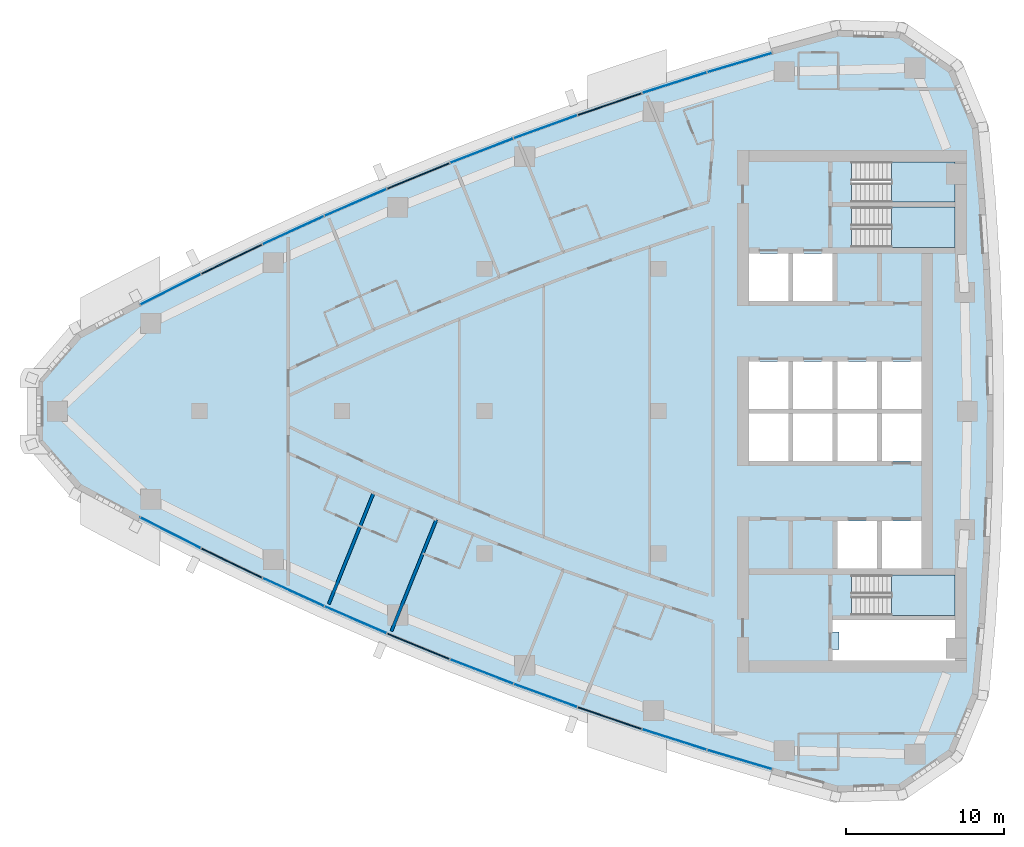
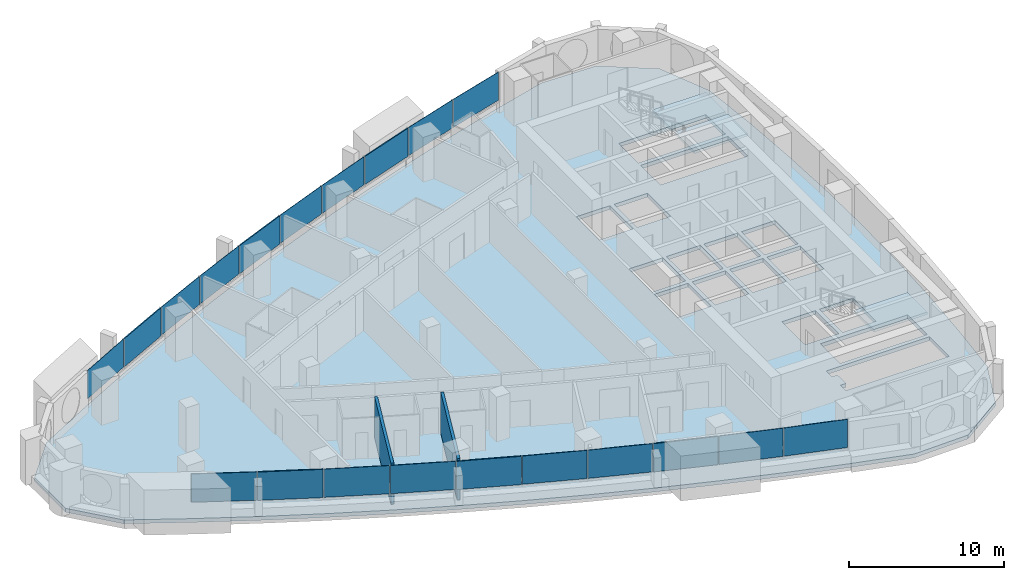
# One storey, part 8 of 17: 20 plates, 4 slabs, 2 walls, 1 opening, 13 elements without a shape of their own.
"""IFC4 building model written with IfcOpenShell, lengths in metres."""

from ifc_helpers import new_model, si_unit, direction, frame, frame_2d, origin, origin_2d, place, context, subcontext, project, spatial, polyline, rectangle, outline, extrude, material, layer, layer_set, type_object, element, aggregate, save


model = new_model("IFC4")

# Units and contexts
model_context = context("Model", 3, precision=1e-05, world=origin(), true_north=direction((0.0, 1.0)))
body_context = subcontext(model_context, "Body", "Model", "MODEL_VIEW")
ifc_project = project(units=[si_unit("LENGTHUNIT", "METRE"), si_unit("AREAUNIT", "SQUARE_METRE"), si_unit("VOLUMEUNIT", "CUBIC_METRE"), si_unit("PLANEANGLEUNIT", "RADIAN"), si_unit("MASSUNIT", "GRAM", prefix="KILO")], contexts=[model_context])

# Site, building, storey
site_placement = place(None, origin())
site = spatial("IfcSite", under=ifc_project, at=site_placement, CompositionType="ELEMENT")
building_placement = place(site_placement, origin())
building = spatial("IfcBuilding", under=site, at=building_placement, Name="Ostrand Prow Hotel Tower", CompositionType="ELEMENT")
storey_placement = place(building_placement, frame((0.0, 0.0, 200.35009765625)))
storey = spatial("IfcBuildingStorey", under=building, at=storey_placement, Name="L50", CompositionType="ELEMENT", Elevation=200.35009765625)

# Curtain wall, plate
ifc_material_1 = material(Name="Insulated glass in bronze anodised frame", Category="glass")
ifc_layer_1 = layer(ifc_material_1, 0.199951171875)
ifc_layer_set_1 = layer_set([ifc_layer_1], Name="Insulated glass in bronze anodised frame")
curtain_wall_type = type_object("IfcCurtainWallType", Name="Strip curtain wall, fritted glass over bronze spandrel", PredefinedType="NOTDEFINED", material=ifc_layer_set_1)
curtain_wall_1_placement = place(storey_placement, origin())
curtain_wall_1 = element("IfcCurtainWall", 1, at=curtain_wall_1_placement, inside=storey, type_object=curtain_wall_type, Name="CW1 run CWS1", PredefinedType="NOTDEFINED")
ifc_material_2 = material(Name="Ceramic-fritted glass", Category="glass")
ifc_layer_2 = layer(ifc_material_2, 0.031982421875)
ifc_layer_set_2 = layer_set([ifc_layer_2], Name="Ceramic-fritted glass")
plate_type_1 = type_object("IfcPlateType", Name="Dot-fritted ceramic glass unit 32 mm", PredefinedType="CURTAIN_PANEL", material=ifc_layer_set_2)
plate_1_placement = place(storey_placement, frame((14.17529296875, -7.6865234375, 1.02001953125), z_axis=(0.0, 0.0, 1.0), x_axis=(0.891683792196, -0.452658828186, 0.0)))
plate_1 = element("IfcPlate", 2, at=plate_1_placement, type_object=plate_type_1, Name="CW1 PN-D panel 1.2", PredefinedType="CURTAIN_PANEL", context=body_context, shape_type="SweptSolid", body=[
    extrude(rectangle(XDim=4.2451171875, YDim=0.031982421875, at=origin_2d()), origin(), (0.0, 0.0, 1.0), 2.22998046875),
])

# Curtain wall, plates
curtain_wall_2_placement = place(storey_placement, origin())
curtain_wall_2 = element("IfcCurtainWall", 3, at=curtain_wall_2_placement, inside=storey, type_object=curtain_wall_type, Name="CW1 run CWS2", PredefinedType="NOTDEFINED")
plate_2_placement = place(storey_placement, frame((21.928955078125, -11.428466796875, 1.02001953125), z_axis=(0.0, 0.0, 1.0), x_axis=(0.909184517226, -0.416393460127, 0.0)))
plate_2 = element("IfcPlate", 4, at=plate_2_placement, type_object=plate_type_1, Name="CW1 PN-D panel 1.2", PredefinedType="CURTAIN_PANEL", context=body_context, shape_type="SweptSolid", body=[
    extrude(rectangle(XDim=4.2451171875, YDim=0.031982421875, at=origin_2d()), origin(), (0.0, 0.0, 1.0), 2.22998046875),
])
plate_3_placement = place(storey_placement, frame((25.860595703125, -13.181396484375, 1.02001953125), z_axis=(0.0, 0.0, 1.0), x_axis=(0.917383388347, -0.398004671812, 0.0)))
plate_3 = element("IfcPlate", 5, at=plate_3_placement, type_object=plate_type_1, Name="CW1 PN-D panel 2.2", PredefinedType="CURTAIN_PANEL", context=body_context, shape_type="SweptSolid", body=[
    extrude(rectangle(XDim=4.2451171875, YDim=0.031982421875, at=origin_2d()), origin(), (0.0, 0.0, 1.0), 2.22998046875),
])
aggregate(curtain_wall_2, [plate_2, plate_3])

# Curtain wall, plate
curtain_wall_3_placement = place(storey_placement, origin())
curtain_wall_3 = element("IfcCurtainWall", 6, at=curtain_wall_3_placement, inside=storey, type_object=curtain_wall_type, Name="CW1 run CWS3", PredefinedType="NOTDEFINED")
plate_4_placement = place(storey_placement, frame((33.826171875, -16.4482421875, 1.02001953125), z_axis=(0.0, 0.0, 1.0), x_axis=(0.932662950972, -0.360748970732, 0.0)))
plate_4 = element("IfcPlate", 7, at=plate_4_placement, type_object=plate_type_1, Name="CW1 PN-D panel 2.2", PredefinedType="CURTAIN_PANEL", context=body_context, shape_type="SweptSolid", body=[
    extrude(rectangle(XDim=4.2451171875, YDim=0.031982421875, at=origin_2d()), origin(), (0.0, 0.0, 1.0), 2.22998046875),
])

curtain_wall_4_placement = place(storey_placement, origin())
curtain_wall_4 = element("IfcCurtainWall", 8, at=curtain_wall_4_placement, inside=storey, type_object=curtain_wall_type, Name="CW1 run CWS4", PredefinedType="NOTDEFINED")
plate_5_placement = place(storey_placement, frame((37.8564453125, -17.960693359375, 1.02001953125), z_axis=(0.0, 0.0, 1.0), x_axis=(0.939737383067, -0.341897134919, 0.0)))
plate_5 = element("IfcPlate", 9, at=plate_5_placement, type_object=plate_type_1, Name="CW1 PN-D panel 1.2", PredefinedType="CURTAIN_PANEL", context=body_context, shape_type="SweptSolid", body=[
    extrude(rectangle(XDim=4.2451171875, YDim=0.031982421875, at=origin_2d()), origin(), (0.0, 0.0, 1.0), 2.22998046875),
])

# Curtain wall, plates
curtain_wall_5_placement = place(storey_placement, origin())
curtain_wall_5 = element("IfcCurtainWall", 10, at=curtain_wall_5_placement, inside=storey, type_object=curtain_wall_type, Name="CW1 run CWS5", PredefinedType="NOTDEFINED")
plate_6_placement = place(storey_placement, frame((46.00439453125, -20.74072265625, 1.02001953125), z_axis=(0.0, 0.0, 1.0), x_axis=(0.952739983864, -0.303786970008, 0.0)))
plate_6 = element("IfcPlate", 11, at=plate_6_placement, type_object=plate_type_1, Name="CW1 PN-D panel 1.2", PredefinedType="CURTAIN_PANEL", context=body_context, shape_type="SweptSolid", body=[
    extrude(rectangle(XDim=4.2451171875, YDim=0.031982421875, at=origin_2d()), origin(), (0.0, 0.0, 1.0), 2.22998046875),
])
plate_7_placement = place(storey_placement, frame((50.118896484375, -22.007080078125, 1.02001953125), z_axis=(0.0, 0.0, 1.0), x_axis=(0.958662947758, -0.284544113619, 0.0)))
plate_7 = element("IfcPlate", 12, at=plate_7_placement, type_object=plate_type_1, Name="CW1 PN-D panel 2.2", PredefinedType="CURTAIN_PANEL", context=body_context, shape_type="SweptSolid", body=[
    extrude(rectangle(XDim=4.2451171875, YDim=0.031982421875, at=origin_2d()), origin(), (0.0, 0.0, 1.0), 2.22998046875),
])
aggregate(curtain_wall_5, [plate_6, plate_7])

curtain_wall_6_placement = place(storey_placement, origin())
curtain_wall_6 = element("IfcCurtainWall", 13, at=curtain_wall_6_placement, inside=storey, type_object=curtain_wall_type, Name="CW1 run CWN1", PredefinedType="NOTDEFINED")
plate_8_placement = place(storey_placement, frame((50.118896484375, 22.007080078125, 1.02001953125), z_axis=(0.0, 0.0, 1.0), x_axis=(-0.958662947758, -0.284544113619, 0.0)))
plate_8 = element("IfcPlate", 14, at=plate_8_placement, type_object=plate_type_1, Name="CW1 PN-D panel 1.2", PredefinedType="CURTAIN_PANEL", context=body_context, shape_type="SweptSolid", body=[
    extrude(rectangle(XDim=4.2451171875, YDim=0.031982421875, at=origin_2d()), origin(), (0.0, 0.0, 1.0), 2.22998046875),
])
plate_9_placement = place(storey_placement, frame((46.00439453125, 20.74072265625, 1.02001953125), z_axis=(0.0, 0.0, 1.0), x_axis=(-0.952739983864, -0.303786970008, 0.0)))
plate_9 = element("IfcPlate", 15, at=plate_9_placement, type_object=plate_type_1, Name="CW1 PN-D panel 2.2", PredefinedType="CURTAIN_PANEL", context=body_context, shape_type="SweptSolid", body=[
    extrude(rectangle(XDim=4.2451171875, YDim=0.031982421875, at=origin_2d()), origin(), (0.0, 0.0, 1.0), 2.22998046875),
])
aggregate(curtain_wall_6, [plate_8, plate_9])

# Curtain wall, plate
curtain_wall_7_placement = place(storey_placement, origin())
curtain_wall_7 = element("IfcCurtainWall", 16, at=curtain_wall_7_placement, inside=storey, type_object=curtain_wall_type, Name="CW1 run CWN2", PredefinedType="NOTDEFINED")
plate_10_placement = place(storey_placement, frame((37.8564453125, 17.960693359375, 1.02001953125), z_axis=(0.0, 0.0, 1.0), x_axis=(-0.939737383067, -0.341897134919, 0.0)))
plate_10 = element("IfcPlate", 17, at=plate_10_placement, type_object=plate_type_1, Name="CW1 PN-D panel 2.2", PredefinedType="CURTAIN_PANEL", context=body_context, shape_type="SweptSolid", body=[
    extrude(rectangle(XDim=4.2451171875, YDim=0.031982421875, at=origin_2d()), origin(), (0.0, 0.0, 1.0), 2.22998046875),
])

curtain_wall_8_placement = place(storey_placement, origin())
curtain_wall_8 = element("IfcCurtainWall", 18, at=curtain_wall_8_placement, inside=storey, type_object=curtain_wall_type, Name="CW1 run CWN3", PredefinedType="NOTDEFINED")
plate_11_placement = place(storey_placement, frame((33.826171875, 16.4482421875, 1.02001953125), z_axis=(0.0, 0.0, 1.0), x_axis=(-0.932662950972, -0.360748970732, 0.0)))
plate_11 = element("IfcPlate", 19, at=plate_11_placement, type_object=plate_type_1, Name="CW1 PN-D panel 1.2", PredefinedType="CURTAIN_PANEL", context=body_context, shape_type="SweptSolid", body=[
    extrude(rectangle(XDim=4.2451171875, YDim=0.031982421875, at=origin_2d()), origin(), (0.0, 0.0, 1.0), 2.22998046875),
])

# Curtain wall, plates
curtain_wall_9_placement = place(storey_placement, origin())
curtain_wall_9 = element("IfcCurtainWall", 20, at=curtain_wall_9_placement, inside=storey, type_object=curtain_wall_type, Name="CW1 run CWN4", PredefinedType="NOTDEFINED")
plate_12_placement = place(storey_placement, frame((25.860595703125, 13.181396484375, 1.02001953125), z_axis=(0.0, 0.0, 1.0), x_axis=(-0.917383388347, -0.398004671812, 0.0)))
plate_12 = element("IfcPlate", 21, at=plate_12_placement, type_object=plate_type_1, Name="CW1 PN-D panel 1.2", PredefinedType="CURTAIN_PANEL", context=body_context, shape_type="SweptSolid", body=[
    extrude(rectangle(XDim=4.2451171875, YDim=0.031982421875, at=origin_2d()), origin(), (0.0, 0.0, 1.0), 2.22998046875),
])
plate_13_placement = place(storey_placement, frame((21.928955078125, 11.428466796875, 1.02001953125), z_axis=(0.0, 0.0, 1.0), x_axis=(-0.909184517226, -0.416393460127, 0.0)))
plate_13 = element("IfcPlate", 22, at=plate_13_placement, type_object=plate_type_1, Name="CW1 PN-D panel 2.2", PredefinedType="CURTAIN_PANEL", context=body_context, shape_type="SweptSolid", body=[
    extrude(rectangle(XDim=4.2451171875, YDim=0.031982421875, at=origin_2d()), origin(), (0.0, 0.0, 1.0), 2.22998046875),
])
aggregate(curtain_wall_9, [plate_12, plate_13])

# Curtain wall, plate
curtain_wall_10_placement = place(storey_placement, origin())
curtain_wall_10 = element("IfcCurtainWall", 23, at=curtain_wall_10_placement, inside=storey, type_object=curtain_wall_type, Name="CW1 run CWN5", PredefinedType="NOTDEFINED")
plate_14_placement = place(storey_placement, frame((14.17529296875, 7.6865234375, 1.02001953125), z_axis=(0.0, 0.0, 1.0), x_axis=(-0.891683792196, -0.452658828186, 0.0)))
plate_14 = element("IfcPlate", 24, at=plate_14_placement, type_object=plate_type_1, Name="CW1 PN-D panel 2.2", PredefinedType="CURTAIN_PANEL", context=body_context, shape_type="SweptSolid", body=[
    extrude(rectangle(XDim=4.2451171875, YDim=0.031982421875, at=origin_2d()), origin(), (0.0, 0.0, 1.0), 2.22998046875),
])

# Plate
ifc_material_3 = material(Name="Fritted glass in bronze vent frame", Category="glass")
ifc_layer_3 = layer(ifc_material_3, 0.080078125)
ifc_layer_set_3 = layer_set([ifc_layer_3], Name="Fritted glass in bronze vent frame")
plate_type_2 = type_object("IfcPlateType", Name="Operable vent panel 80 mm", PredefinedType="CURTAIN_PANEL", material=ifc_layer_set_3)
plate_15_placement = place(storey_placement, frame((18.033203125, -9.596435546875, 1.02001953125), z_axis=(0.0, 0.0, 1.0), x_axis=(0.90061633232, -0.434615027304, 0.0)))
plate_15 = element("IfcPlate", 25, at=plate_15_placement, type_object=plate_type_2, Name="CW1 PN-O2 panel 2.2", PredefinedType="CURTAIN_PANEL", context=body_context, shape_type="SweptSolid", body=[
    extrude(rectangle(XDim=4.2451171875, YDim=0.080078125, at=origin_2d()), origin(), (0.0, 0.0, 1.0), 2.22998046875),
])

aggregate(curtain_wall_1, [plate_1, plate_15])

plate_16_placement = place(storey_placement, frame((29.826904296875, -14.85498046875, 1.02001953125), z_axis=(0.0, 0.0, 1.0), x_axis=(0.925211042932, -0.379452929936, 0.0)))
plate_16 = element("IfcPlate", 26, at=plate_16_placement, type_object=plate_type_2, Name="CW1 PN-O2 panel 1.2", PredefinedType="CURTAIN_PANEL", context=body_context, shape_type="SweptSolid", body=[
    extrude(rectangle(XDim=4.2451171875, YDim=0.080078125, at=origin_2d()), origin(), (0.0, 0.0, 1.0), 2.22998046875),
])

aggregate(curtain_wall_3, [plate_16, plate_4])

plate_17_placement = place(storey_placement, frame((41.91650390625, -19.3916015625, 1.02001953125), z_axis=(0.0, 0.0, 1.0), x_axis=(0.946430245113, -0.322908332404, 0.0)))
plate_17 = element("IfcPlate", 27, at=plate_17_placement, type_object=plate_type_2, Name="CW1 PN-O2 panel 2.2", PredefinedType="CURTAIN_PANEL", context=body_context, shape_type="SweptSolid", body=[
    extrude(rectangle(XDim=4.2451171875, YDim=0.080078125, at=origin_2d()), origin(), (0.0, 0.0, 1.0), 2.22998046875),
])

aggregate(curtain_wall_4, [plate_5, plate_17])

plate_18_placement = place(storey_placement, frame((41.91650390625, 19.3916015625, 1.02001953125), z_axis=(0.0, 0.0, 1.0), x_axis=(-0.946430245113, -0.322908332404, 0.0)))
plate_18 = element("IfcPlate", 28, at=plate_18_placement, type_object=plate_type_2, Name="CW1 PN-O2 panel 1.2", PredefinedType="CURTAIN_PANEL", context=body_context, shape_type="SweptSolid", body=[
    extrude(rectangle(XDim=4.2451171875, YDim=0.080078125, at=origin_2d()), origin(), (0.0, 0.0, 1.0), 2.22998046875),
])

aggregate(curtain_wall_7, [plate_18, plate_10])

plate_19_placement = place(storey_placement, frame((29.826904296875, 14.85498046875, 1.02001953125), z_axis=(0.0, 0.0, 1.0), x_axis=(-0.925211042932, -0.379452929936, 0.0)))
plate_19 = element("IfcPlate", 29, at=plate_19_placement, type_object=plate_type_2, Name="CW1 PN-O2 panel 2.2", PredefinedType="CURTAIN_PANEL", context=body_context, shape_type="SweptSolid", body=[
    extrude(rectangle(XDim=4.2451171875, YDim=0.080078125, at=origin_2d()), origin(), (0.0, 0.0, 1.0), 2.22998046875),
])

aggregate(curtain_wall_8, [plate_11, plate_19])

plate_20_placement = place(storey_placement, frame((18.033203125, 9.596435546875, 1.02001953125), z_axis=(0.0, 0.0, 1.0), x_axis=(-0.90061633232, -0.434615027304, 0.0)))
plate_20 = element("IfcPlate", 30, at=plate_20_placement, type_object=plate_type_2, Name="CW1 PN-O2 panel 1.2", PredefinedType="CURTAIN_PANEL", context=body_context, shape_type="SweptSolid", body=[
    extrude(rectangle(XDim=4.2451171875, YDim=0.080078125, at=origin_2d()), origin(), (0.0, 0.0, 1.0), 2.22998046875),
])

aggregate(curtain_wall_10, [plate_20, plate_14])

# Slab, opening
ifc_material_4 = material(Name="Concrete C40/50", Category="concrete")
ifc_layer_4 = layer(ifc_material_4, 0.300048828125)
ifc_layer_set_4 = layer_set([ifc_layer_4], Name="Concrete C40/50")
slab_type_1 = type_object("IfcSlabType", Name="PT flat plate 300 C40/50", PredefinedType="FLOOR", material=ifc_layer_set_4)
slab_1_placement = place(storey_placement, frame((0.0, 0.0, -0.300048828125)))
slab_1 = element("IfcSlab", 31, at=slab_1_placement, inside=storey, type_object=slab_type_1, Name="Floor slab L50-1", PredefinedType="FLOOR", context=body_context, shape_type="SweptSolid", body=[
    extrude(outline(polyline([(8.22216796875, 5.025634765625), (12.06689453125, 7.07568359375), (15.912841796875, 9.0283203125), (19.797607421875, 10.90283203125), (23.718994140625, 12.698974609375), (27.676025390625, 14.41552734375), (31.666748046875, 16.05224609375), (35.689697265625, 17.6083984375), (39.7431640625, 19.0830078125), (43.8251953125, 20.475830078125), (47.934814453125, 21.7861328125), (52.06982421875, 23.013427734375), (56.26220703125, 24.16650390625), (60.3349609375, 24.0498046875), (63.721435546875, 21.719482421875), (65.2861328125, 17.957275390625), (65.70947265625, 13.453369140625), (66.009765625, 8.974365234375), (66.18994140625, 4.48876953125), (66.25, 0.0), (66.18994140625, -4.48876953125), (66.009765625, -8.974365234375), (65.70947265625, -13.453369140625), (65.2861328125, -17.957275390625), (63.721435546875, -21.719482421875), (60.3349609375, -24.0498046875), (56.26220703125, -24.16650390625), (52.06982421875, -23.013427734375), (47.934814453125, -21.7861328125), (43.8251953125, -20.475830078125), (39.7431640625, -19.0830078125), (35.689697265625, -17.6083984375), (31.666748046875, -16.05224609375), (27.676025390625, -14.41552734375), (23.718994140625, -12.698974609375), (19.797607421875, -10.90283203125), (15.912841796875, -9.0283203125), (12.06689453125, -7.07568359375), (8.22216796875, -5.025634765625), (5.614013671875, -2.014892578125), (5.614013671875, 2.014892578125), (8.22216796875, 5.025634765625)]), holes=[polyline([(50.699951171875, 6.949951171875), (53.199951171875, 6.949951171875), (53.199951171875, 9.949951171875), (50.699951171875, 9.949951171875), (50.699951171875, 6.949951171875)]), polyline([(53.5, 6.949951171875), (56.0, 6.949951171875), (56.0, 9.949951171875), (53.5, 9.949951171875), (53.5, 6.949951171875)]), polyline([(50.699951171875, 0.14990234375), (53.199951171875, 0.14990234375), (53.199951171875, 3.14990234375), (50.699951171875, 3.14990234375), (50.699951171875, 0.14990234375)]), polyline([(53.5, 0.14990234375), (56.0, 0.14990234375), (56.0, 3.14990234375), (53.5, 3.14990234375), (53.5, 0.14990234375)]), polyline([(56.300048828125, 0.14990234375), (58.800048828125, 0.14990234375), (58.800048828125, 3.14990234375), (56.300048828125, 3.14990234375), (56.300048828125, 0.14990234375)]), polyline([(59.10009765625, 0.14990234375), (61.60009765625, 0.14990234375), (61.60009765625, 3.14990234375), (59.10009765625, 3.14990234375), (59.10009765625, 0.14990234375)]), polyline([(50.699951171875, -3.14990234375), (53.199951171875, -3.14990234375), (53.199951171875, -0.14990234375), (50.699951171875, -0.14990234375), (50.699951171875, -3.14990234375)]), polyline([(53.5, -3.14990234375), (56.0, -3.14990234375), (56.0, -0.14990234375), (53.5, -0.14990234375), (53.5, -3.14990234375)]), polyline([(56.300048828125, -3.14990234375), (58.800048828125, -3.14990234375), (58.800048828125, -0.14990234375), (56.300048828125, -0.14990234375), (56.300048828125, -3.14990234375)]), polyline([(59.10009765625, -3.14990234375), (61.60009765625, -3.14990234375), (61.60009765625, -0.14990234375), (59.10009765625, -0.14990234375), (59.10009765625, -3.14990234375)]), polyline([(56.300048828125, -9.949951171875), (58.800048828125, -9.949951171875), (58.800048828125, -6.949951171875), (56.300048828125, -6.949951171875), (56.300048828125, -9.949951171875)]), polyline([(59.10009765625, -9.949951171875), (61.60009765625, -9.949951171875), (61.60009765625, -6.949951171875), (59.10009765625, -6.949951171875), (59.10009765625, -9.949951171875)]), polyline([(57.200927734375, 10.35107421875), (57.200927734375, 12.89892578125), (63.718994140625, 12.89892578125), (63.718994140625, 10.35107421875), (57.200927734375, 10.35107421875)]), polyline([(57.200927734375, 13.200927734375), (57.200927734375, 15.7490234375), (63.718994140625, 15.7490234375), (63.718994140625, 13.200927734375), (57.200927734375, 13.200927734375)]), polyline([(57.200927734375, -12.89892578125), (57.200927734375, -10.35107421875), (63.718994140625, -10.35107421875), (63.718994140625, -12.89892578125), (57.200927734375, -12.89892578125)]), polyline([(63.719970703125, -13.199951171875), (63.719970703125, -15.75), (56.0, -15.75), (56.0, -15.050048828125), (56.39990234375, -15.050048828125), (56.39990234375, -13.949951171875), (56.0, -13.949951171875), (56.0, -13.199951171875), (63.719970703125, -13.199951171875)])]), origin(), (0.0, 0.0, 1.0), 0.300048828125),
])
opening_placement = place(slab_1_placement, origin())
element("IfcOpeningElement", 32, at=opening_placement, cuts=slab_1, Name="Shaft opening 1", PredefinedType="OPENING", context=body_context, shape_type="SweptSolid", body=[
    extrude(outline(polyline([(63.719970703125, -13.199951171875), (63.719970703125, -15.75), (56.0, -15.75), (56.0, -15.050048828125), (56.39990234375, -15.050048828125), (56.39990234375, -13.949951171875), (56.0, -13.949951171875), (56.0, -13.199951171875), (63.719970703125, -13.199951171875)])), origin(), (0.0, 0.0, 1.0), 0.300048828125),
])

# Stair, slab
ifc_material_5 = material(Name="Concrete C40/50", Category="concrete")
stair_type = type_object("IfcStairType", Name="Exit stair 1200 upper zone", PredefinedType="HALF_TURN_STAIR", material=ifc_material_5)
stair_1_placement = place(storey_placement, origin())
stair_1 = element("IfcStair", 33, at=stair_1_placement, inside=storey, type_object=stair_type, Name="L50 ST1C", PredefinedType="HALF_TURN_STAIR")
ifc_material_6 = material(Name="Concrete C40/50", Category="concrete")
ifc_layer_5 = layer(ifc_material_6, 0.199951171875)
ifc_layer_set_5 = layer_set([ifc_layer_5], Name="Concrete C40/50")
slab_type_2 = type_object("IfcSlabType", Name="Stair landing 200 concrete", PredefinedType="LANDING", material=ifc_layer_set_5)
slab_2_placement = place(storey_placement, frame((0.0, 0.0, 1.574951171875)))
slab_2 = element("IfcSlab", 34, at=slab_2_placement, type_object=slab_type_2, Name="ST1C landing 1", PredefinedType="LANDING", context=body_context, shape_type="SweptSolid", body=[
    extrude(outline(polyline([(59.719970703125, 10.35009765625), (63.719970703125, 10.35009765625), (63.719970703125, 12.89990234375), (59.719970703125, 12.89990234375), (59.719970703125, 10.35009765625)])), origin(), (0.0, 0.0, 1.0), 0.199951171875),
])
aggregate(stair_1, [slab_2])

stair_2_placement = place(storey_placement, origin())
stair_2 = element("IfcStair", 35, at=stair_2_placement, inside=storey, type_object=stair_type, Name="L50 ST3C", PredefinedType="HALF_TURN_STAIR")
slab_3_placement = place(storey_placement, frame((0.0, 0.0, 1.574951171875)))
slab_3 = element("IfcSlab", 36, at=slab_3_placement, type_object=slab_type_2, Name="ST3C landing 1", PredefinedType="LANDING", context=body_context, shape_type="SweptSolid", body=[
    extrude(outline(polyline([(59.719970703125, 13.199951171875), (63.719970703125, 13.199951171875), (63.719970703125, 15.75), (59.719970703125, 15.75), (59.719970703125, 13.199951171875)])), origin(), (0.0, 0.0, 1.0), 0.199951171875),
])
aggregate(stair_2, [slab_3])

stair_3_placement = place(storey_placement, origin())
stair_3 = element("IfcStair", 37, at=stair_3_placement, inside=storey, type_object=stair_type, Name="L50 ST2C", PredefinedType="HALF_TURN_STAIR")
slab_4_placement = place(storey_placement, frame((0.0, 0.0, 1.574951171875)))
slab_4 = element("IfcSlab", 38, at=slab_4_placement, type_object=slab_type_2, Name="ST2C landing 1", PredefinedType="LANDING", context=body_context, shape_type="SweptSolid", body=[
    extrude(outline(polyline([(59.719970703125, -12.89990234375), (63.719970703125, -12.89990234375), (63.719970703125, -10.35009765625), (59.719970703125, -10.35009765625), (59.719970703125, -12.89990234375)])), origin(), (0.0, 0.0, 1.0), 0.199951171875),
])
aggregate(stair_3, [slab_4])

# Walls
ifc_material_7 = material(Name="Plasterboard partition")
ifc_layer_6 = layer(ifc_material_7, 0.199951171875)
ifc_layer_set_6 = layer_set([ifc_layer_6], Name="Plasterboard partition")
wall_type = type_object("IfcWallType", Name="Partition 200 key partition", PredefinedType="PARTITIONING", material=ifc_layer_set_6)
wall_1_placement = place(storey_placement, frame((24.16845703125, -12.185302734375, 0.0), z_axis=(0.0, 0.0, 1.0), x_axis=(0.373913547423, 0.927463562116, 0.0)))
element("IfcWall", 39, at=wall_1_placement, inside=storey, type_object=wall_type, Name="KEY PARTITION", PredefinedType="PARTITIONING", context=body_context, shape_type="SweptSolid", body=[
    extrude(rectangle(XDim=7.60400390625, YDim=0.199951171875, at=frame_2d((3.802001953125, 0.0))), origin(), (0.0, 0.0, 1.0), 3.25),
])
wall_2_placement = place(storey_placement, frame((28.123779296875, -13.896728515625, 0.0), z_axis=(0.0, 0.0, 1.0), x_axis=(0.373876084216, 0.927478664796, 0.0)))
element("IfcWall", 40, at=wall_2_placement, inside=storey, type_object=wall_type, Name="KEY PARTITION", PredefinedType="PARTITIONING", context=body_context, shape_type="SweptSolid", body=[
    extrude(rectangle(XDim=7.600341796875, YDim=0.199951171875, at=frame_2d((3.80029296875, 0.0))), origin(), (0.0, 0.0, 1.0), 3.25),
])

save(model, "model.ifc")
